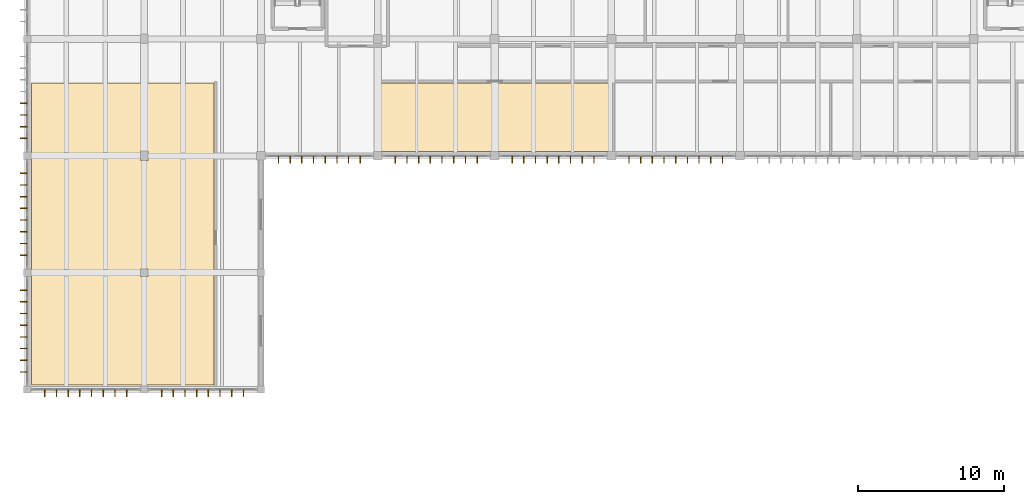
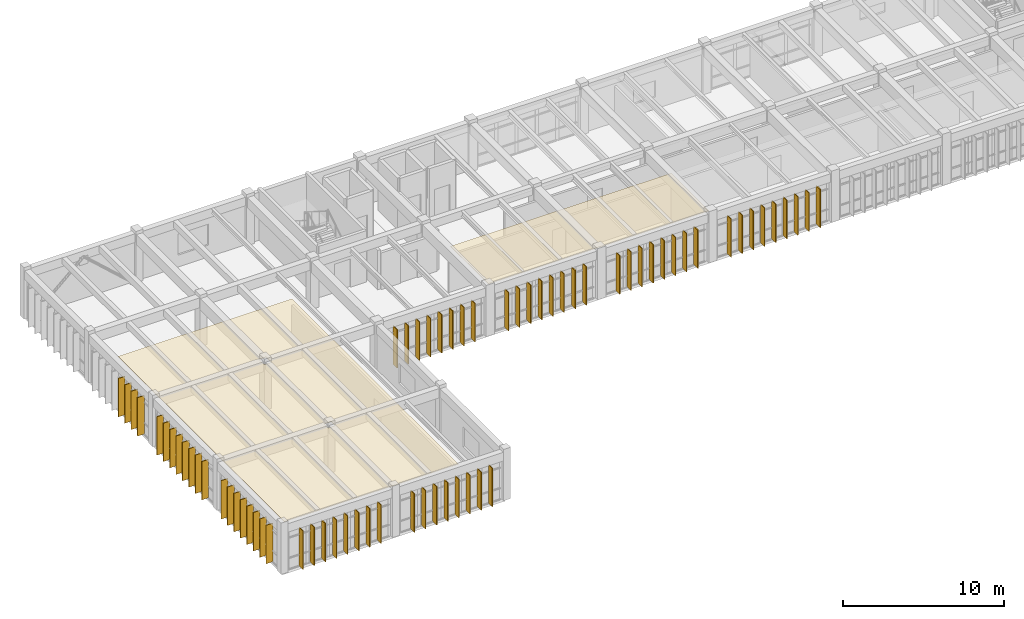
# One storey, part 18 of 22: 69 shading devices, 2 coverings.
"""IFC4 building model written with IfcOpenShell, lengths in metres."""

from ifc_helpers import new_model, si_unit, direction, frame, origin, origin_2d, place, context, subcontext, project, spatial, polyline, rectangle, outline, extrude, material, layer, layer_set, type_object, element, save


model = new_model("IFC4")

# Units and contexts
model_context = context("Model", 3, precision=1e-05, world=origin(), true_north=direction((0.0, 1.0)))
body_context = subcontext(model_context, "Body", "Model", "MODEL_VIEW")
ifc_project = project(units=[si_unit("LENGTHUNIT", "METRE"), si_unit("AREAUNIT", "SQUARE_METRE"), si_unit("VOLUMEUNIT", "CUBIC_METRE"), si_unit("PLANEANGLEUNIT", "RADIAN"), si_unit("MASSUNIT", "GRAM", prefix="KILO")], contexts=[model_context])

# Site, building, storey
site_placement = place(None, origin())
site = spatial("IfcSite", under=ifc_project, at=site_placement, CompositionType="ELEMENT")
building_placement = place(site_placement, origin())
building = spatial("IfcBuilding", under=site, at=building_placement, Name="Tlaxcora Railside Police Headquarters", CompositionType="ELEMENT")
storey_placement = place(building_placement, frame((0.0, 0.0, 21.89990234375)))
storey = spatial("IfcBuildingStorey", under=building, at=storey_placement, Name="L05", CompositionType="ELEMENT", Elevation=21.89990234375)

# Coverings
ifc_material_1 = material(Name="Mineral-fibre acoustic ceiling tile")
ifc_layer_1 = layer(ifc_material_1, 0.034912109375, Name="Mineral-fibre acoustic ceiling tile")
ifc_layer_set_1 = layer_set([ifc_layer_1], Name="Mineral-fibre acoustic ceiling tile")
covering_type = type_object("IfcCoveringType", Name="Acoustic Suspended Ceiling CLG-01", PredefinedType="CEILING", material=ifc_layer_set_1)
covering_1_placement = place(storey_placement, frame((0.0, 0.0, 3.465087890625)))
element("IfcCovering", 1, at=covering_1_placement, inside=storey, type_object=covering_type, Name="Regional Organised-Crime Taskforce suspended ceiling", PredefinedType="CEILING", context=body_context, shape_type="SweptSolid", body=[
    extrude(outline(polyline([(37.510009765625, 77.10009765625), (44.889892578125, 77.10009765625), (44.889892578125, 77.110107421875), (45.25390625, 77.110107421875), (45.25390625, 81.800048828125), (29.39990234375, 81.800048828125), (29.39990234375, 77.110107421875), (29.510009765625, 77.110107421875), (29.510009765625, 77.10009765625), (36.889892578125, 77.10009765625), (36.889892578125, 77.110107421875), (37.510009765625, 77.110107421875), (37.510009765625, 77.10009765625)])), origin(), (0.0, 0.0, 1.0), 0.034912109375),
])
covering_2_placement = place(storey_placement, frame((0.0, 0.0, 3.465087890625)))
element("IfcCovering", 2, at=covering_2_placement, inside=storey, type_object=covering_type, Name="Environmental and Heritage Protection Police suspended ceiling", PredefinedType="CEILING", context=body_context, shape_type="SweptSolid", body=[
    extrude(outline(polyline([(18.0, 61.10009765625), (18.0, 81.800048828125), (5.5, 81.800048828125), (5.5, 61.10009765625), (18.0, 61.10009765625)]), holes=[polyline([(13.4599609375, 69.06005859375), (13.4599609375, 68.5400390625), (12.93994140625, 68.5400390625), (12.93994140625, 69.06005859375), (13.4599609375, 69.06005859375)]), polyline([(13.4599609375, 76.465087890625), (12.93994140625, 76.465087890625), (12.93994140625, 77.135009765625), (13.4599609375, 77.135009765625), (13.4599609375, 76.465087890625)])]), origin(), (0.0, 0.0, 1.0), 0.034912109375),
])

# Shading devices
ifc_material_2 = material(Name="Anodised aluminium framing", Category="aluminium")
ifc_layer_2 = layer(ifc_material_2, 0.054931640625, Name="Anodised aluminium framing")
ifc_layer_set_2 = layer_set([ifc_layer_2], Name="Anodised aluminium framing")
shading_device_type = type_object("IfcShadingDeviceType", Name="Solar Control Fin SF-01", PredefinedType="JALOUSIE", material=ifc_layer_set_2)
for number, where, z_axis, x_axis, name in (
    (3, (6.39990234375, 60.5400390625, 0.0400390625), (0.0, 0.0, 1.0), (0.0, -1.0, 0.0), "Vertical solar fin 501"),
    (4, (7.199951171875, 60.5400390625, 0.0400390625), (0.0, 0.0, 1.0), (0.0, -1.0, 0.0), "Vertical solar fin 502"),
    (5, (8.0, 60.5400390625, 0.0400390625), (0.0, 0.0, 1.0), (0.0, -1.0, 0.0), "Vertical solar fin 503"),
    (6, (8.800048828125, 60.5400390625, 0.0400390625), (0.0, 0.0, 1.0), (0.0, -1.0, 0.0), "Vertical solar fin 504"),
    (7, (9.60009765625, 60.5400390625, 0.0400390625), (0.0, 0.0, 1.0), (0.0, -1.0, 0.0), "Vertical solar fin 505"),
    (8, (10.39990234375, 60.5400390625, 0.0400390625), (0.0, 0.0, 1.0), (0.0, -1.0, 0.0), "Vertical solar fin 506"),
    (9, (11.199951171875, 60.5400390625, 0.0400390625), (0.0, 0.0, 1.0), (0.0, -1.0, 0.0), "Vertical solar fin 507"),
    (10, (12.0, 60.5400390625, 0.0400390625), (0.0, 0.0, 1.0), (0.0, -1.0, 0.0), "Vertical solar fin 508"),
    (11, (14.39990234375, 60.5400390625, 0.0400390625), (0.0, 0.0, 1.0), (0.0, -1.0, 0.0), "Vertical solar fin 509"),
    (12, (15.199951171875, 60.5400390625, 0.0400390625), (0.0, 0.0, 1.0), (0.0, -1.0, 0.0), "Vertical solar fin 510"),
    (13, (16.0, 60.5400390625, 0.0400390625), (0.0, 0.0, 1.0), (0.0, -1.0, 0.0), "Vertical solar fin 511"),
    (14, (16.800048828125, 60.5400390625, 0.0400390625), (0.0, 0.0, 1.0), (0.0, -1.0, 0.0), "Vertical solar fin 512"),
    (15, (17.60009765625, 60.5400390625, 0.0400390625), (0.0, 0.0, 1.0), (0.0, -1.0, 0.0), "Vertical solar fin 513"),
    (16, (18.39990234375, 60.5400390625, 0.0400390625), (0.0, 0.0, 1.0), (0.0, -1.0, 0.0), "Vertical solar fin 514"),
    (17, (19.199951171875, 60.5400390625, 0.0400390625), (0.0, 0.0, 1.0), (0.0, -1.0, 0.0), "Vertical solar fin 515"),
    (18, (20.0, 60.5400390625, 0.0400390625), (0.0, 0.0, 1.0), (0.0, -1.0, 0.0), "Vertical solar fin 516"),
    (19, (22.39990234375, 76.5400390625, 0.0400390625), (0.0, 0.0, 1.0), (0.0, -1.0, 0.0), "Vertical solar fin 517"),
    (20, (23.199951171875, 76.5400390625, 0.0400390625), (0.0, 0.0, 1.0), (0.0, -1.0, 0.0), "Vertical solar fin 518"),
    (21, (24.0, 76.5400390625, 0.0400390625), (0.0, 0.0, 1.0), (0.0, -1.0, 0.0), "Vertical solar fin 519"),
    (22, (24.800048828125, 76.5400390625, 0.0400390625), (0.0, 0.0, 1.0), (0.0, -1.0, 0.0), "Vertical solar fin 520"),
    (23, (25.60009765625, 76.5400390625, 0.0400390625), (0.0, 0.0, 1.0), (0.0, -1.0, 0.0), "Vertical solar fin 521"),
    (24, (26.39990234375, 76.5400390625, 0.0400390625), (0.0, 0.0, 1.0), (0.0, -1.0, 0.0), "Vertical solar fin 522"),
    (25, (27.199951171875, 76.5400390625, 0.0400390625), (0.0, 0.0, 1.0), (0.0, -1.0, 0.0), "Vertical solar fin 523"),
    (26, (28.0, 76.5400390625, 0.0400390625), (0.0, 0.0, 1.0), (0.0, -1.0, 0.0), "Vertical solar fin 524"),
    (27, (30.39990234375, 76.5400390625, 0.0400390625), (0.0, 0.0, 1.0), (0.0, -1.0, 0.0), "Vertical solar fin 525"),
    (28, (31.199951171875, 76.5400390625, 0.0400390625), (0.0, 0.0, 1.0), (0.0, -1.0, 0.0), "Vertical solar fin 526"),
    (29, (32.0, 76.5400390625, 0.0400390625), (0.0, 0.0, 1.0), (0.0, -1.0, 0.0), "Vertical solar fin 527"),
    (30, (32.800048828125, 76.5400390625, 0.0400390625), (0.0, 0.0, 1.0), (0.0, -1.0, 0.0), "Vertical solar fin 528"),
    (31, (33.60009765625, 76.5400390625, 0.0400390625), (0.0, 0.0, 1.0), (0.0, -1.0, 0.0), "Vertical solar fin 529"),
    (32, (34.39990234375, 76.5400390625, 0.0400390625), (0.0, 0.0, 1.0), (0.0, -1.0, 0.0), "Vertical solar fin 530"),
    (33, (35.199951171875, 76.5400390625, 0.0400390625), (0.0, 0.0, 1.0), (0.0, -1.0, 0.0), "Vertical solar fin 531"),
    (34, (36.0, 76.5400390625, 0.0400390625), (0.0, 0.0, 1.0), (0.0, -1.0, 0.0), "Vertical solar fin 532"),
    (35, (38.39990234375, 76.5400390625, 0.0400390625), (0.0, 0.0, 1.0), (0.0, -1.0, 0.0), "Vertical solar fin 533"),
    (36, (39.199951171875, 76.5400390625, 0.0400390625), (0.0, 0.0, 1.0), (0.0, -1.0, 0.0), "Vertical solar fin 534"),
    (37, (40.0, 76.5400390625, 0.0400390625), (0.0, 0.0, 1.0), (0.0, -1.0, 0.0), "Vertical solar fin 535"),
    (38, (40.800048828125, 76.5400390625, 0.0400390625), (0.0, 0.0, 1.0), (0.0, -1.0, 0.0), "Vertical solar fin 536"),
    (39, (41.60009765625, 76.5400390625, 0.0400390625), (0.0, 0.0, 1.0), (0.0, -1.0, 0.0), "Vertical solar fin 537"),
    (40, (42.39990234375, 76.5400390625, 0.0400390625), (0.0, 0.0, 1.0), (0.0, -1.0, 0.0), "Vertical solar fin 538"),
    (41, (43.199951171875, 76.5400390625, 0.0400390625), (0.0, 0.0, 1.0), (0.0, -1.0, 0.0), "Vertical solar fin 539"),
    (42, (44.0, 76.5400390625, 0.0400390625), (0.0, 0.0, 1.0), (0.0, -1.0, 0.0), "Vertical solar fin 540"),
    (43, (46.39990234375, 76.5400390625, 0.0400390625), (0.0, 0.0, 1.0), (0.0, -1.0, 0.0), "Vertical solar fin 541"),
    (44, (47.199951171875, 76.5400390625, 0.0400390625), (0.0, 0.0, 1.0), (0.0, -1.0, 0.0), "Vertical solar fin 542"),
    (45, (48.0, 76.5400390625, 0.0400390625), (0.0, 0.0, 1.0), (0.0, -1.0, 0.0), "Vertical solar fin 543"),
    (46, (48.800048828125, 76.5400390625, 0.0400390625), (0.0, 0.0, 1.0), (0.0, -1.0, 0.0), "Vertical solar fin 544"),
    (47, (49.60009765625, 76.5400390625, 0.0400390625), (0.0, 0.0, 1.0), (0.0, -1.0, 0.0), "Vertical solar fin 545"),
    (48, (50.39990234375, 76.5400390625, 0.0400390625), (0.0, 0.0, 1.0), (0.0, -1.0, 0.0), "Vertical solar fin 546"),
    (49, (51.199951171875, 76.5400390625, 0.0400390625), (0.0, 0.0, 1.0), (0.0, -1.0, 0.0), "Vertical solar fin 547"),
    (50, (52.0, 76.5400390625, 0.0400390625), (0.0, 0.0, 1.0), (0.0, -1.0, 0.0), "Vertical solar fin 548"),
    (51, (52.800048828125, 76.5400390625, 0.0400390625), (0.0, 0.0, 1.0), (0.0, -1.0, 0.0), "Vertical solar fin 549"),
    (52, (4.93994140625, 80.39990234375, 0.0400390625), (0.0, 0.0, 1.0), (-1.0, 0.0, 0.0), "Vertical solar fin 594"),
    (53, (4.93994140625, 79.60009765625, 0.0400390625), (0.0, 0.0, 1.0), (-1.0, 0.0, 0.0), "Vertical solar fin 595"),
    (54, (4.93994140625, 78.800048828125, 0.0400390625), (0.0, 0.0, 1.0), (-1.0, 0.0, 0.0), "Vertical solar fin 596"),
    (55, (4.93994140625, 78.0, 0.0400390625), (0.0, 0.0, 1.0), (-1.0, 0.0, 0.0), "Vertical solar fin 597"),
    (56, (4.93994140625, 75.60009765625, 0.0400390625), (0.0, 0.0, 1.0), (-1.0, 0.0, 0.0), "Vertical solar fin 598"),
    (57, (4.93994140625, 74.800048828125, 0.0400390625), (0.0, 0.0, 1.0), (-1.0, 0.0, 0.0), "Vertical solar fin 599"),
    (58, (4.93994140625, 74.0, 0.0400390625), (0.0, 0.0, 1.0), (-1.0, 0.0, 0.0), "Vertical solar fin 600"),
    (59, (4.93994140625, 73.199951171875, 0.0400390625), (0.0, 0.0, 1.0), (-1.0, 0.0, 0.0), "Vertical solar fin 601"),
    (60, (4.93994140625, 72.39990234375, 0.0400390625), (0.0, 0.0, 1.0), (-1.0, 0.0, 0.0), "Vertical solar fin 602"),
    (61, (4.93994140625, 71.60009765625, 0.0400390625), (0.0, 0.0, 1.0), (-1.0, 0.0, 0.0), "Vertical solar fin 603"),
    (62, (4.93994140625, 70.800048828125, 0.0400390625), (0.0, 0.0, 1.0), (-1.0, 0.0, 0.0), "Vertical solar fin 604"),
    (63, (4.93994140625, 70.0, 0.0400390625), (0.0, 0.0, 1.0), (-1.0, 0.0, 0.0), "Vertical solar fin 605"),
    (64, (4.93994140625, 67.60009765625, 0.0400390625), (0.0, 0.0, 1.0), (-1.0, 0.0, 0.0), "Vertical solar fin 606"),
    (65, (4.93994140625, 66.800048828125, 0.0400390625), (0.0, 0.0, 1.0), (-1.0, 0.0, 0.0), "Vertical solar fin 607"),
    (66, (4.93994140625, 66.0, 0.0400390625), (0.0, 0.0, 1.0), (-1.0, 0.0, 0.0), "Vertical solar fin 608"),
    (67, (4.93994140625, 65.199951171875, 0.0400390625), (0.0, 0.0, 1.0), (-1.0, 0.0, 0.0), "Vertical solar fin 609"),
    (68, (4.93994140625, 64.39990234375, 0.0400390625), (0.0, 0.0, 1.0), (-1.0, 0.0, 0.0), "Vertical solar fin 610"),
    (69, (4.93994140625, 63.60009765625, 0.0400390625), (0.0, 0.0, 1.0), (-1.0, 0.0, 0.0), "Vertical solar fin 611"),
    (70, (4.93994140625, 62.800048828125, 0.0400390625), (0.0, 0.0, 1.0), (-1.0, 0.0, 0.0), "Vertical solar fin 612"),
    (71, (4.93994140625, 62.0, 0.0400390625), (0.0, 0.0, 1.0), (-1.0, 0.0, 0.0), "Vertical solar fin 613"),
):
    element("IfcShadingDevice", number, at=place(storey_placement, frame(where, z_axis=z_axis, x_axis=x_axis)), inside=storey, type_object=shading_device_type, Name=name, PredefinedType="JALOUSIE", context=body_context, shape_type="SweptSolid", body=[
        extrude(rectangle(XDim=0.47998046875, YDim=0.054931640625, at=origin_2d()), origin(), (0.0, 0.0, 1.0), 2.919921875),
    ])

save(model, "model.ifc")
